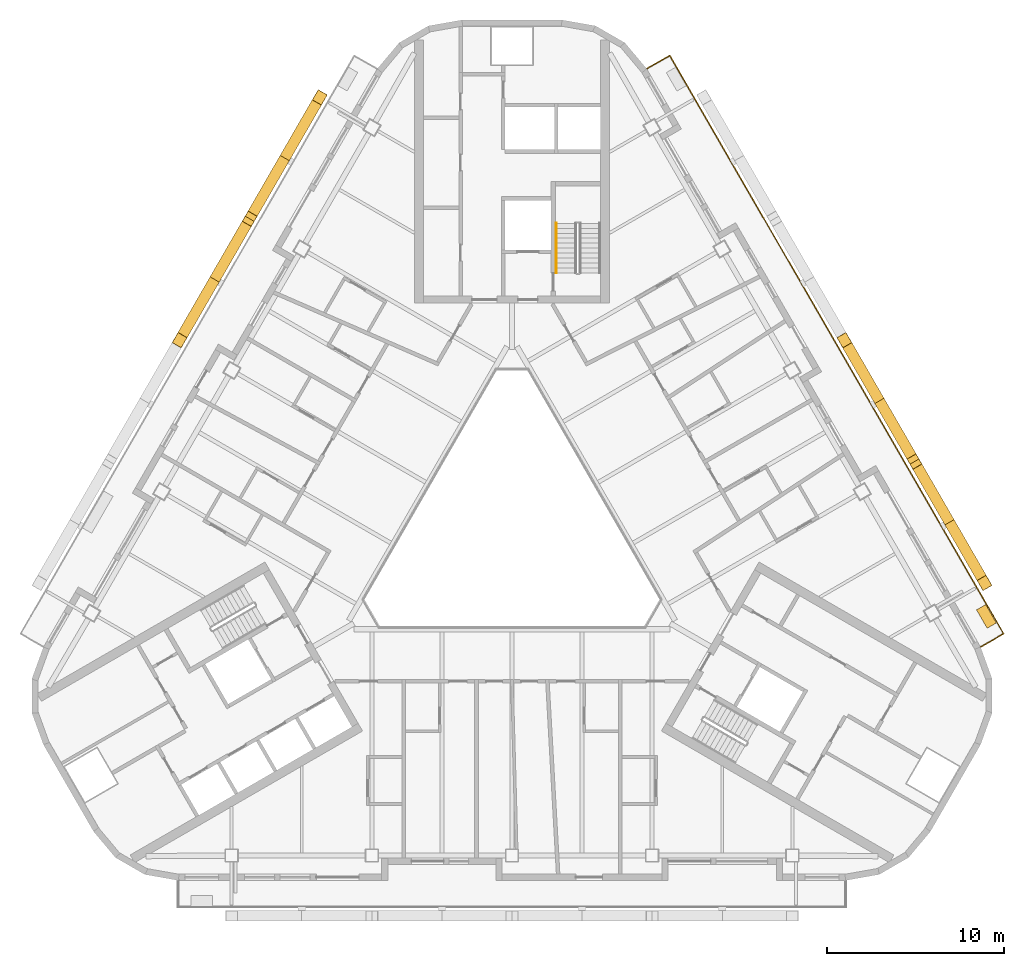
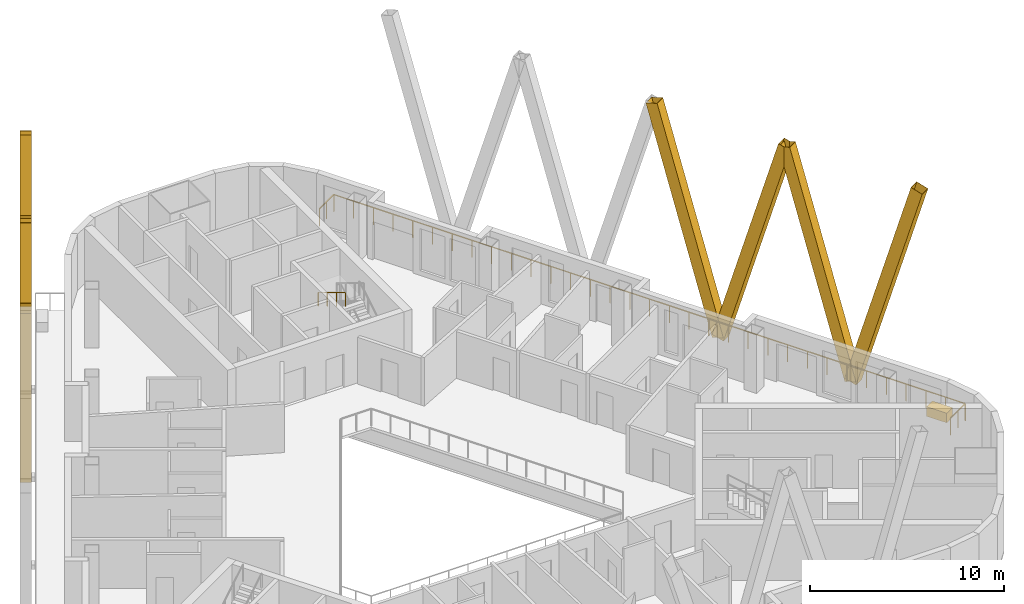
# One storey, part 13 of 14: 8 shading devices, 2 railings, 1 covering.
"""IFC4 building model written with IfcOpenShell, lengths in metres."""

from ifc_helpers import new_model, si_unit, direction, frame, origin, origin_2d, place, context, subcontext, project, spatial, rectangle, hollow_rectangle, circle, extrude, material, material_profile, profile_set, type_object, element, save


model = new_model("IFC4")

# Units and contexts
model_context = context("Model", 3, precision=1e-05, world=origin(), true_north=direction((0.0, 1.0)))
body_context = subcontext(model_context, "Body", "Model", "MODEL_VIEW")
ifc_project = project(units=[si_unit("LENGTHUNIT", "METRE"), si_unit("AREAUNIT", "SQUARE_METRE"), si_unit("VOLUMEUNIT", "CUBIC_METRE"), si_unit("PLANEANGLEUNIT", "RADIAN"), si_unit("MASSUNIT", "GRAM", prefix="KILO")], contexts=[model_context])

# Site, building, storey
site_placement = place(None, origin())
site = spatial("IfcSite", under=ifc_project, at=site_placement, CompositionType="ELEMENT")
building_placement = place(site_placement, origin())
building = spatial("IfcBuilding", under=site, at=building_placement, Name="Apuvela Tower Hotel", CompositionType="ELEMENT")
storey_placement = place(building_placement, frame((0.0, 0.0, 224.300048828125)))
storey = spatial("IfcBuildingStorey", under=building, at=storey_placement, Name="L55", CompositionType="ELEMENT", Elevation=224.300048828125)

# Railing
ifc_material_1 = material(Name="Stainless steel 316 handrail", Category="steel")
railing_type_1 = type_object("IfcRailingType", Name="COR-HANDRAIL-900", PredefinedType="HANDRAIL", material=ifc_material_1)
railing_1_placement = place(storey_placement, frame((2.5, 17.39990234375, 2.01806640625)))
element("IfcRailing", 1, at=railing_1_placement, inside=storey, type_object=railing_type_1, Name="L55 ST1 stair handrail 2", PredefinedType="HANDRAIL", context=body_context, shape_type="SweptSolid", body=[
    extrude(circle(Radius=0.02392578125, at=origin_2d()), frame((0.0, 0.0, 0.8759765625), z_axis=(0.0, -0.857222391501, 0.514946377315), x_axis=(1.0, 0.0, 0.0)), (0.0, 0.0, 1.0), 3.26611328125),
    extrude(rectangle(XDim=0.0419921875, YDim=0.0419921875, at=origin_2d()), origin(), (0.0, 0.0, 1.0), 0.851806640625),
    extrude(rectangle(XDim=0.0419921875, YDim=0.0419921875, at=origin_2d()), frame((0.0, -0.933349609375, 0.560546875)), (0.0, 0.0, 1.0), 0.851806640625),
    extrude(rectangle(XDim=0.0419921875, YDim=0.0419921875, at=origin_2d()), frame((0.0, -1.866455078125, 1.121337890625)), (0.0, 0.0, 1.0), 0.851806640625),
    extrude(rectangle(XDim=0.0419921875, YDim=0.0419921875, at=origin_2d()), frame((0.0, -2.7998046875, 1.681884765625)), (0.0, 0.0, 1.0), 0.851806640625),
])

# Shading devices
ifc_material_2 = material(Name="Aluminium 6063-T6, black anodised", Category="aluminium")
ifc_material_profile = material_profile(ifc_material_2, hollow_rectangle(XDim=0.60009765625, YDim=0.699951171875, WallThickness=0.011962890625, at=origin_2d()), Name="AL BOX 700x600x12")
ifc_profile_set = profile_set([ifc_material_profile], Name="Aluminium 6063-T6, black anodised")
shading_device_type = type_object("IfcShadingDeviceType", Name="ENV-FIN-700x600", PredefinedType="USERDEFINED", material=ifc_profile_set)
for number, where, z_axis, x_axis, name in (
    (2, (24.656982421875, 0.552490234375, -0.10009765625), (0.14137958477, -0.244854062078, 0.959196695831), (0.866005453737, 0.500034552904, 0.0), "Lattice fin NE489"),
    (3, (24.656982421875, 0.552490234375, -0.10009765625), (-0.141361853257, 0.244871095047, 0.959194961024), (-0.866047669374, -0.499961432884, 0.0), "Lattice fin NE490"),
    (4, (20.70703125, 7.394287109375, -0.10009765625), (0.141378979785, -0.244870490079, 0.959192591278), (0.866020906874, 0.500007788796, 0.0), "Lattice fin NE491"),
    (5, (20.70703125, 7.394287109375, -0.10009765625), (-0.141362458172, 0.244854667011, 0.959199065608), (-0.866032218625, -0.499988196164, 0.0), "Lattice fin NE492"),
    (6, (-12.80712890625, 21.077392578125, -0.10009765625), (0.141378979785, 0.244870490079, 0.959192591278), (-0.866020906874, 0.500007788796, 0.0), "Lattice fin NW521"),
    (7, (-12.80712890625, 21.077392578125, -0.10009765625), (-0.141361853257, -0.244871095047, 0.959194961024), (0.866047669374, -0.499961432884, 0.0), "Lattice fin NW522"),
    (8, (-16.757080078125, 14.23583984375, -0.10009765625), (0.14137958477, 0.244854062078, 0.959196695831), (-0.866005453737, 0.500034552904, 0.0), "Lattice fin NW523"),
    (9, (-16.757080078125, 14.23583984375, -0.10009765625), (-0.141378979785, -0.244870490079, 0.959192591278), (0.866020906874, -0.500007788796, 0.0), "Lattice fin NW524"),
):
    element("IfcShadingDevice", number, at=place(storey_placement, frame(where, z_axis=z_axis, x_axis=x_axis)), inside=storey, type_object=shading_device_type, Name=name, ObjectType="FIN", PredefinedType="USERDEFINED", context=body_context, shape_type="SweptSolid", body=[
        extrude(hollow_rectangle(XDim=0.60009765625, YDim=0.699951171875, WallThickness=0.011962890625, at=origin_2d()), origin(), (0.0, 0.0, 1.0), 13.97021484375),
    ])

# Railing
ifc_material_3 = material(Name="Stainless steel 316 rail with laminated glass infill", Category="steel")
railing_type_2 = type_object("IfcRailingType", Name="ENV-GUARD-1100", PredefinedType="GUARDRAIL", material=ifc_material_3)
railing_2_placement = place(storey_placement, frame((26.407958984375, -6.47998046875, 0.0)))
element("IfcRailing", 10, at=railing_2_placement, inside=storey, type_object=railing_type_2, Name="Balcony guard NE L55", PredefinedType="GUARDRAIL", context=body_context, shape_type="SweptSolid", body=[
    extrude(rectangle(XDim=0.050048828125, YDim=0.050048828125, at=origin_2d()), frame((0.0, 0.0, 1.0751953125), z_axis=(0.866031096941, 0.499990139034, 0.0), x_axis=(-0.499990139034, 0.866031096941, 0.0)), (0.0, 0.0, 1.0), 1.5),
    extrude(rectangle(XDim=0.050048828125, YDim=0.050048828125, at=origin_2d()), frame((1.299072265625, 0.75, 1.0751953125), z_axis=(-0.500000437506, 0.86602515119, 0.0), x_axis=(-0.86602515119, -0.500000437506, 0.0)), (0.0, 0.0, 1.0), 37.6318359375),
    extrude(rectangle(XDim=0.050048828125, YDim=0.050048828125, at=origin_2d()), frame((-17.516845703125, 33.340087890625, 1.0751953125), z_axis=(-0.86599040064, -0.500060622324, 0.0), x_axis=(0.500060622324, -0.86599040064, 0.0)), (0.0, 0.0, 1.0), 1.499755859375),
    extrude(rectangle(XDim=0.0400390625, YDim=0.0400390625, at=origin_2d()), origin(), (0.0, 0.0, 1.0), 1.050048828125),
    extrude(rectangle(XDim=0.0400390625, YDim=0.0400390625, at=origin_2d()), frame((0.6494140625, 0.375, 0.0)), (0.0, 0.0, 1.0), 1.050048828125),
    extrude(rectangle(XDim=0.0400390625, YDim=0.0400390625, at=origin_2d()), frame((1.299072265625, 0.75, 0.0)), (0.0, 0.0, 1.0), 1.050048828125),
    extrude(rectangle(XDim=0.0400390625, YDim=0.0400390625, at=origin_2d()), frame((0.711181640625, 1.7685546875, 0.0)), (0.0, 0.0, 1.0), 1.050048828125),
    extrude(rectangle(XDim=0.0400390625, YDim=0.0400390625, at=origin_2d()), frame((0.123046875, 2.786865234375, 0.0)), (0.0, 0.0, 1.0), 1.050048828125),
    extrude(rectangle(XDim=0.0400390625, YDim=0.0400390625, at=origin_2d()), frame((-0.46484375, 3.805419921875, 0.0)), (0.0, 0.0, 1.0), 1.050048828125),
    extrude(rectangle(XDim=0.0400390625, YDim=0.0400390625, at=origin_2d()), frame((-1.052978515625, 4.82373046875, 0.0)), (0.0, 0.0, 1.0), 1.050048828125),
    extrude(rectangle(XDim=0.0400390625, YDim=0.0400390625, at=origin_2d()), frame((-1.640869140625, 5.84228515625, 0.0)), (0.0, 0.0, 1.0), 1.050048828125),
    extrude(rectangle(XDim=0.0400390625, YDim=0.0400390625, at=origin_2d()), frame((-2.22900390625, 6.860595703125, 0.0)), (0.0, 0.0, 1.0), 1.050048828125),
    extrude(rectangle(XDim=0.0400390625, YDim=0.0400390625, at=origin_2d()), frame((-2.81689453125, 7.879150390625, 0.0)), (0.0, 0.0, 1.0), 1.050048828125),
    extrude(rectangle(XDim=0.0400390625, YDim=0.0400390625, at=origin_2d()), frame((-3.40478515625, 8.8974609375, 0.0)), (0.0, 0.0, 1.0), 1.050048828125),
    extrude(rectangle(XDim=0.0400390625, YDim=0.0400390625, at=origin_2d()), frame((-3.992919921875, 9.916015625, 0.0)), (0.0, 0.0, 1.0), 1.050048828125),
    extrude(rectangle(XDim=0.0400390625, YDim=0.0400390625, at=origin_2d()), frame((-4.580810546875, 10.934326171875, 0.0)), (0.0, 0.0, 1.0), 1.050048828125),
    extrude(rectangle(XDim=0.0400390625, YDim=0.0400390625, at=origin_2d()), frame((-5.1689453125, 11.952880859375, 0.0)), (0.0, 0.0, 1.0), 1.050048828125),
    extrude(rectangle(XDim=0.0400390625, YDim=0.0400390625, at=origin_2d()), frame((-5.7568359375, 12.97119140625, 0.0)), (0.0, 0.0, 1.0), 1.050048828125),
    extrude(rectangle(XDim=0.0400390625, YDim=0.0400390625, at=origin_2d()), frame((-6.344970703125, 13.98974609375, 0.0)), (0.0, 0.0, 1.0), 1.050048828125),
    extrude(rectangle(XDim=0.0400390625, YDim=0.0400390625, at=origin_2d()), frame((-6.932861328125, 15.008056640625, 0.0)), (0.0, 0.0, 1.0), 1.050048828125),
    extrude(rectangle(XDim=0.0400390625, YDim=0.0400390625, at=origin_2d()), frame((-7.52099609375, 16.026611328125, 0.0)), (0.0, 0.0, 1.0), 1.050048828125),
    extrude(rectangle(XDim=0.0400390625, YDim=0.0400390625, at=origin_2d()), frame((-8.10888671875, 17.044921875, 0.0)), (0.0, 0.0, 1.0), 1.050048828125),
    extrude(rectangle(XDim=0.0400390625, YDim=0.0400390625, at=origin_2d()), frame((-8.69677734375, 18.0634765625, 0.0)), (0.0, 0.0, 1.0), 1.050048828125),
    extrude(rectangle(XDim=0.0400390625, YDim=0.0400390625, at=origin_2d()), frame((-9.284912109375, 19.08203125, 0.0)), (0.0, 0.0, 1.0), 1.050048828125),
    extrude(rectangle(XDim=0.0400390625, YDim=0.0400390625, at=origin_2d()), frame((-9.872802734375, 20.100341796875, 0.0)), (0.0, 0.0, 1.0), 1.050048828125),
    extrude(rectangle(XDim=0.0400390625, YDim=0.0400390625, at=origin_2d()), frame((-10.4609375, 21.118896484375, 0.0)), (0.0, 0.0, 1.0), 1.050048828125),
    extrude(rectangle(XDim=0.0400390625, YDim=0.0400390625, at=origin_2d()), frame((-11.048828125, 22.13720703125, 0.0)), (0.0, 0.0, 1.0), 1.050048828125),
    extrude(rectangle(XDim=0.0400390625, YDim=0.0400390625, at=origin_2d()), frame((-11.636962890625, 23.15576171875, 0.0)), (0.0, 0.0, 1.0), 1.050048828125),
    extrude(rectangle(XDim=0.0400390625, YDim=0.0400390625, at=origin_2d()), frame((-12.224853515625, 24.174072265625, 0.0)), (0.0, 0.0, 1.0), 1.050048828125),
    extrude(rectangle(XDim=0.0400390625, YDim=0.0400390625, at=origin_2d()), frame((-12.81298828125, 25.192626953125, 0.0)), (0.0, 0.0, 1.0), 1.050048828125),
    extrude(rectangle(XDim=0.0400390625, YDim=0.0400390625, at=origin_2d()), frame((-13.40087890625, 26.2109375, 0.0)), (0.0, 0.0, 1.0), 1.050048828125),
    extrude(rectangle(XDim=0.0400390625, YDim=0.0400390625, at=origin_2d()), frame((-13.98876953125, 27.2294921875, 0.0)), (0.0, 0.0, 1.0), 1.050048828125),
    extrude(rectangle(XDim=0.0400390625, YDim=0.0400390625, at=origin_2d()), frame((-14.576904296875, 28.247802734375, 0.0)), (0.0, 0.0, 1.0), 1.050048828125),
    extrude(rectangle(XDim=0.0400390625, YDim=0.0400390625, at=origin_2d()), frame((-15.164794921875, 29.266357421875, 0.0)), (0.0, 0.0, 1.0), 1.050048828125),
    extrude(rectangle(XDim=0.0400390625, YDim=0.0400390625, at=origin_2d()), frame((-15.7529296875, 30.28466796875, 0.0)), (0.0, 0.0, 1.0), 1.050048828125),
    extrude(rectangle(XDim=0.0400390625, YDim=0.0400390625, at=origin_2d()), frame((-16.3408203125, 31.30322265625, 0.0)), (0.0, 0.0, 1.0), 1.050048828125),
    extrude(rectangle(XDim=0.0400390625, YDim=0.0400390625, at=origin_2d()), frame((-16.928955078125, 32.321533203125, 0.0)), (0.0, 0.0, 1.0), 1.050048828125),
    extrude(rectangle(XDim=0.0400390625, YDim=0.0400390625, at=origin_2d()), frame((-17.516845703125, 33.340087890625, 0.0)), (0.0, 0.0, 1.0), 1.050048828125),
    extrude(rectangle(XDim=0.0400390625, YDim=0.0400390625, at=origin_2d()), frame((-18.166259765625, 32.965087890625, 0.0)), (0.0, 0.0, 1.0), 1.050048828125),
    extrude(rectangle(XDim=0.0400390625, YDim=0.0400390625, at=origin_2d()), frame((-18.815673828125, 32.590087890625, 0.0)), (0.0, 0.0, 1.0), 1.050048828125),
])

# Covering
ifc_material_4 = material(Name="Planting substrate and soil, planted")
covering_type = type_object("IfcCoveringType", Name="ENV-PLANTER-1200x600", PredefinedType="USERDEFINED", material=ifc_material_4)
covering_placement = place(storey_placement, frame((26.739013671875, -4.753173828125, 0.0), z_axis=(0.0, 0.0, 1.0), x_axis=(-0.5, 0.866025403784, 0.0)))
element("IfcCovering", 11, at=covering_placement, inside=storey, type_object=covering_type, Name="Planter NE2", ObjectType="PLANTER", PredefinedType="USERDEFINED", context=body_context, shape_type="SweptSolid", body=[
    extrude(rectangle(XDim=1.199951171875, YDim=0.60009765625, at=origin_2d()), origin(), (0.0, 0.0, 1.0), 0.60009765625),
])

save(model, "model.ifc")
